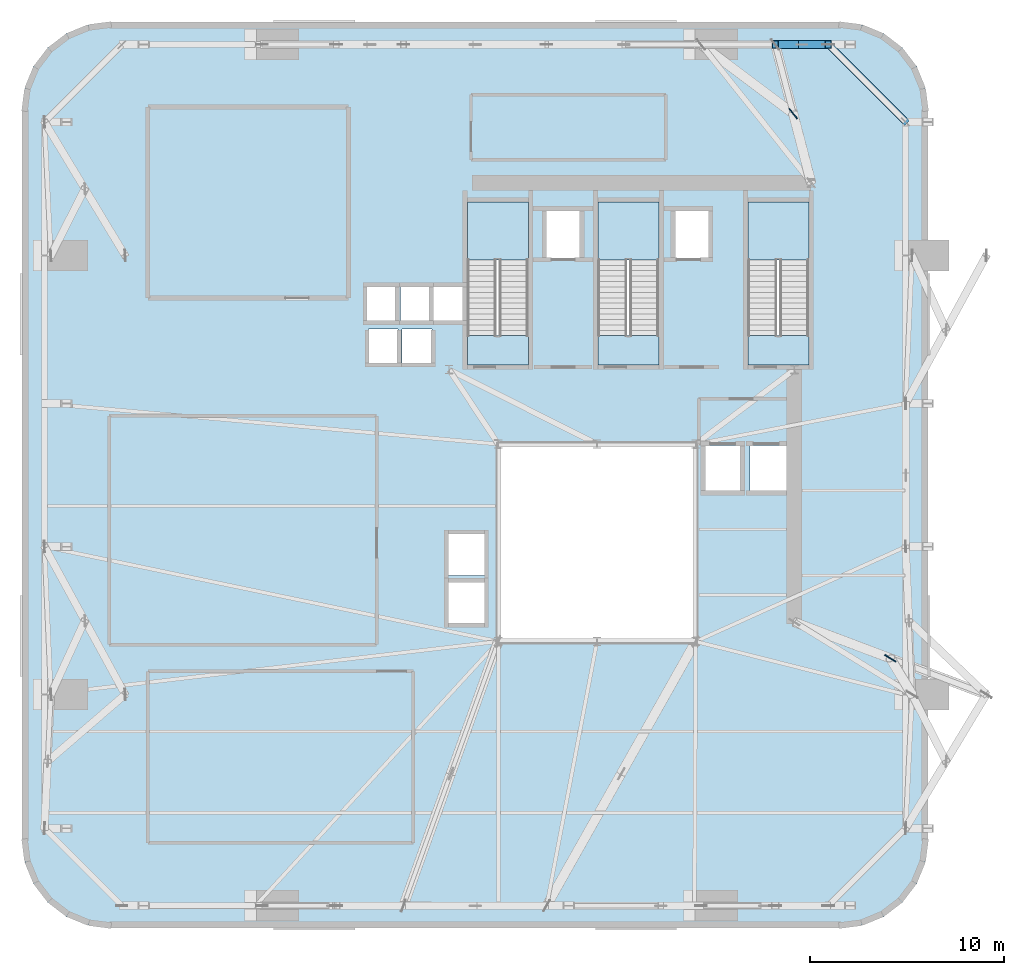
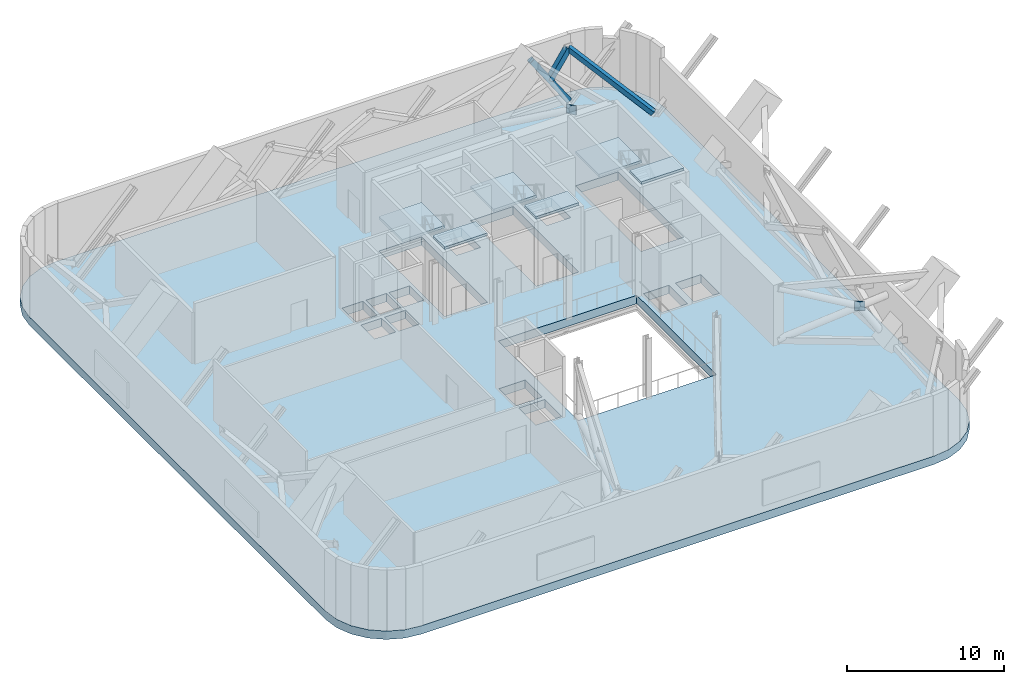
# One storey, part 4 of 12: 7 slabs, 3 members, 2 plates, 3 elements without a shape of their own.
"""IFC4 building model written with IfcOpenShell, lengths in metres."""

from ifc_helpers import new_model, si_unit, direction, frame, origin, origin_2d, place, context, subcontext, project, spatial, polyline, rectangle, hollow_rectangle, outline, extrude, source, transform, mapped, material, layer, layer_set, material_profile, profile_set, type_object, element, aggregate, save


model = new_model("IFC4")

# Units and contexts
model_context = context("Model", 3, precision=1e-05, world=origin(), true_north=direction((0.0, 1.0)))
body_context = subcontext(model_context, "Body", "Model", "MODEL_VIEW")
ifc_project = project(units=[si_unit("LENGTHUNIT", "METRE"), si_unit("AREAUNIT", "SQUARE_METRE"), si_unit("VOLUMEUNIT", "CUBIC_METRE"), si_unit("PLANEANGLEUNIT", "RADIAN"), si_unit("MASSUNIT", "GRAM", prefix="KILO")], contexts=[model_context])

# Site, building, storey
site_placement = place(None, origin())
site = spatial("IfcSite", under=ifc_project, at=site_placement, CompositionType="ELEMENT")
building_placement = place(site_placement, origin())
building = spatial("IfcBuilding", under=site, at=building_placement, Name="Vardaveli Station Tower", CompositionType="ELEMENT")
storey_placement = place(building_placement, frame((0.0, 0.0, 166.800048828125)))
storey = spatial("IfcBuildingStorey", under=building, at=storey_placement, Name="L43", CompositionType="ELEMENT", Elevation=166.800048828125)

# Members
ifc_material_1 = material(Name="Structural steel S460M", Category="steel")
ifc_material_profile_1 = material_profile(ifc_material_1, hollow_rectangle(XDim=0.39990234375, YDim=0.39990234375, WallThickness=0.02001953125, at=origin_2d()), Name="RHS 400x400x20")
ifc_profile_set_1 = profile_set([ifc_material_profile_1], Name="Structural steel S460M")
member_type_1 = type_object("IfcMemberType", Name="MEM-BR-RHS400", PredefinedType="BRACE", material=ifc_profile_set_1)
shared_shape_1 = source(origin(), body_context, "Body", "SweptSolid", [
    extrude(hollow_rectangle(XDim=0.39990234375, YDim=0.39990234375, WallThickness=0.02001953125, at=origin_2d()), origin(), (0.0, 0.0, 1.0), 4.890869140625),
])
member_1_placement = place(storey_placement, frame((48.25, 47.449951171875, 0.349853515625), z_axis=(-0.560584317928, 0.0, 0.828097350855), x_axis=(0.0, -1.0, 0.0)))
element("IfcMember", 1, at=member_1_placement, inside=storey, type_object=member_type_1, Name="BLT-L43-D1-09", PredefinedType="BRACE", context=body_context, shape_type="MappedRepresentation", body=[
    mapped(shared_shape_1, transform((0.0, 0.0, 0.0), scale=1.0)),
])
shared_shape_2 = source(origin(), body_context, "Body", "SweptSolid", [
    extrude(hollow_rectangle(XDim=0.39990234375, YDim=0.39990234375, WallThickness=0.02001953125, at=origin_2d()), origin(), (0.0, 0.0, 1.0), 2.4453125),
])
member_2_placement = place(storey_placement, frame((46.879150390625, 47.449951171875, 2.375), z_axis=(0.560607491734, 0.0, 0.828081662768), x_axis=(0.0, 1.0, 0.0)))
element("IfcMember", 2, at=member_2_placement, inside=storey, type_object=member_type_1, Name="BLT-L43-D2B-09", PredefinedType="BRACE", context=body_context, shape_type="MappedRepresentation", body=[
    mapped(shared_shape_2, transform((0.0, 0.0, 0.0), scale=1.0)),
])
ifc_material_profile_2 = material_profile(ifc_material_1, hollow_rectangle(XDim=0.35009765625, YDim=0.35009765625, WallThickness=0.01611328125, at=origin_2d()), Name="RHS 350x350x16")
ifc_profile_set_2 = profile_set([ifc_material_profile_2], Name="Structural steel S460M")
member_type_2 = type_object("IfcMemberType", Name="MEM-ST-RHS350", PredefinedType="STRUT", material=ifc_profile_set_2)
shared_shape_3 = source(origin(), body_context, "Body", "SweptSolid", [
    extrude(hollow_rectangle(XDim=0.35009765625, YDim=0.35009765625, WallThickness=0.01611328125, at=origin_2d()), origin(), (0.0, 0.0, 1.0), 6.957275390625),
])
member_3_placement = place(storey_placement, frame((52.25, 43.449951171875, 0.349853515625), z_axis=(-0.574942376987, 0.574942376987, 0.582136175039), x_axis=(-0.707106781187, -0.707106781187, 0.0)))
element("IfcMember", 3, at=member_3_placement, inside=storey, type_object=member_type_2, Name="STRUT-L43-3", PredefinedType="STRUT", context=body_context, shape_type="MappedRepresentation", body=[
    mapped(shared_shape_3, transform((0.0, 0.0, 0.0), scale=1.0)),
])

# Stair, slabs
ifc_material_2 = material(Name="Concrete C40/50", Category="concrete")
stair_type = type_object("IfcStairType", Name="STR-CORE-1500", PredefinedType="HALF_TURN_STAIR", material=ifc_material_2)
stair_1_placement = place(storey_placement, origin())
stair_1 = element("IfcStair", 4, at=stair_1_placement, inside=storey, type_object=stair_type, Name="L43 ST-1", PredefinedType="HALF_TURN_STAIR")
ifc_layer_1 = layer(ifc_material_2, 0.199951171875, Name="Concrete C40/50")
ifc_layer_set_1 = layer_set([ifc_layer_1], Name="Concrete C40/50")
slab_type_1 = type_object("IfcSlabType", Name="SLB-LAND-200", PredefinedType="LANDING", material=ifc_layer_set_1)
slab_1_placement = place(storey_placement, frame((0.0, 0.0, 2.5)))
slab_1 = element("IfcSlab", 5, at=slab_1_placement, type_object=slab_type_1, Name="ST-1 landing 1", PredefinedType="LANDING", context=body_context, shape_type="SweptSolid", body=[
    extrude(outline(polyline([(32.75, 36.320068359375), (32.75, 39.300048828125), (29.60009765625, 39.300048828125), (29.60009765625, 36.320068359375), (32.75, 36.320068359375)])), origin(), (0.0, 0.0, 1.0), 0.199951171875),
])
slab_2_placement = place(storey_placement, frame((0.0, 0.0, 5.199951171875)))
slab_2 = element("IfcSlab", 6, at=slab_2_placement, type_object=slab_type_1, Name="ST-1 landing 2", PredefinedType="LANDING", context=body_context, shape_type="SweptSolid", body=[
    extrude(outline(polyline([(32.75, 30.89990234375), (32.75, 32.39990234375), (29.60009765625, 32.39990234375), (29.60009765625, 30.89990234375), (32.75, 30.89990234375)])), origin(), (0.0, 0.0, 1.0), 0.199951171875),
])
aggregate(stair_1, [slab_1, slab_2])

stair_2_placement = place(storey_placement, origin())
stair_2 = element("IfcStair", 7, at=stair_2_placement, inside=storey, type_object=stair_type, Name="L43 ST-2", PredefinedType="HALF_TURN_STAIR")
slab_3_placement = place(storey_placement, frame((0.0, 0.0, 2.5)))
slab_3 = element("IfcSlab", 8, at=slab_3_placement, type_object=slab_type_1, Name="ST-2 landing 1", PredefinedType="LANDING", context=body_context, shape_type="SweptSolid", body=[
    extrude(outline(polyline([(39.5, 36.320068359375), (39.5, 39.300048828125), (36.35009765625, 39.300048828125), (36.35009765625, 36.320068359375), (39.5, 36.320068359375)])), origin(), (0.0, 0.0, 1.0), 0.199951171875),
])
slab_4_placement = place(storey_placement, frame((0.0, 0.0, 5.199951171875)))
slab_4 = element("IfcSlab", 9, at=slab_4_placement, type_object=slab_type_1, Name="ST-2 landing 2", PredefinedType="LANDING", context=body_context, shape_type="SweptSolid", body=[
    extrude(outline(polyline([(39.5, 30.89990234375), (39.5, 32.39990234375), (36.35009765625, 32.39990234375), (36.35009765625, 30.89990234375), (39.5, 30.89990234375)])), origin(), (0.0, 0.0, 1.0), 0.199951171875),
])
aggregate(stair_2, [slab_3, slab_4])

stair_3_placement = place(storey_placement, origin())
stair_3 = element("IfcStair", 10, at=stair_3_placement, inside=storey, type_object=stair_type, Name="L43 ST-3", PredefinedType="HALF_TURN_STAIR")
slab_5_placement = place(storey_placement, frame((0.0, 0.0, 2.5)))
slab_5 = element("IfcSlab", 11, at=slab_5_placement, type_object=slab_type_1, Name="ST-3 landing 1", PredefinedType="LANDING", context=body_context, shape_type="SweptSolid", body=[
    extrude(outline(polyline([(47.25, 36.320068359375), (47.25, 39.300048828125), (44.10009765625, 39.300048828125), (44.10009765625, 36.320068359375), (47.25, 36.320068359375)])), origin(), (0.0, 0.0, 1.0), 0.199951171875),
])
slab_6_placement = place(storey_placement, frame((0.0, 0.0, 5.199951171875)))
slab_6 = element("IfcSlab", 12, at=slab_6_placement, type_object=slab_type_1, Name="ST-3 landing 2", PredefinedType="LANDING", context=body_context, shape_type="SweptSolid", body=[
    extrude(outline(polyline([(47.25, 30.89990234375), (47.25, 32.39990234375), (44.10009765625, 32.39990234375), (44.10009765625, 30.89990234375), (47.25, 30.89990234375)])), origin(), (0.0, 0.0, 1.0), 0.199951171875),
])
aggregate(stair_3, [slab_5, slab_6])

# Slab
ifc_material_3 = material(Name="Concrete C50/60", Category="concrete")
ifc_layer_2 = layer(ifc_material_3, 0.64990234375, Name="Concrete C50/60")
ifc_layer_set_2 = layer_set([ifc_layer_2], Name="Concrete C50/60")
slab_type_2 = type_object("IfcSlabType", Name="SLB-TRANS-600", PredefinedType="FLOOR", material=ifc_layer_set_2)
slab_7_placement = place(storey_placement, frame((0.0, 0.0, -0.650146484375)))
element("IfcSlab", 13, at=slab_7_placement, inside=storey, type_object=slab_type_2, Name="SLB-L43-MAIN", PredefinedType="FLOOR", context=body_context, shape_type="SweptSolid", body=[
    extrude(outline(polyline([(6.60009765625, 6.300048828125), (6.75341796875, 5.13525390625), (7.202880859375, 4.050048828125), (7.91796875, 3.117919921875), (8.85009765625, 2.40283203125), (9.935302734375, 1.953369140625), (11.10009765625, 1.800048828125), (48.89990234375, 1.800048828125), (50.064697265625, 1.953369140625), (51.14990234375, 2.40283203125), (52.08203125, 3.117919921875), (52.797119140625, 4.050048828125), (53.24658203125, 5.13525390625), (53.39990234375, 6.300048828125), (53.39990234375, 44.10009765625), (53.24658203125, 45.2646484375), (52.797119140625, 46.35009765625), (52.08203125, 47.281982421875), (51.14990234375, 47.9970703125), (50.064697265625, 48.44677734375), (48.89990234375, 48.60009765625), (11.10009765625, 48.60009765625), (9.935302734375, 48.44677734375), (8.85009765625, 47.9970703125), (7.91796875, 47.281982421875), (7.202880859375, 46.35009765625), (6.75341796875, 45.2646484375), (6.60009765625, 44.10009765625), (6.60009765625, 6.300048828125)]), holes=[polyline([(31.199951171875, 16.60009765625), (41.39990234375, 16.60009765625), (41.39990234375, 26.800048828125), (31.199951171875, 26.800048828125), (31.199951171875, 16.60009765625)]), polyline([(32.75, 30.89990234375), (32.75, 39.300048828125), (29.60009765625, 39.300048828125), (29.60009765625, 30.89990234375), (32.75, 30.89990234375)]), polyline([(39.5, 30.89990234375), (39.5, 39.300048828125), (36.35009765625, 39.300048828125), (36.35009765625, 30.89990234375), (39.5, 30.89990234375)]), polyline([(47.25, 30.89990234375), (47.25, 39.300048828125), (44.10009765625, 39.300048828125), (44.10009765625, 30.89990234375), (47.25, 30.89990234375)]), polyline([(24.385009765625, 33.135009765625), (25.9150390625, 33.135009765625), (25.9150390625, 34.965087890625), (24.385009765625, 34.965087890625), (24.385009765625, 33.135009765625)]), polyline([(26.135009765625, 33.135009765625), (27.6650390625, 33.135009765625), (27.6650390625, 34.965087890625), (26.135009765625, 34.965087890625), (26.135009765625, 33.135009765625)]), polyline([(27.8349609375, 33.135009765625), (29.364990234375, 33.135009765625), (29.364990234375, 34.965087890625), (27.8349609375, 34.965087890625), (27.8349609375, 33.135009765625)]), polyline([(33.659912109375, 36.409912109375), (35.43994140625, 36.409912109375), (35.43994140625, 38.889892578125), (33.659912109375, 38.889892578125), (33.659912109375, 36.409912109375)]), polyline([(40.31005859375, 36.409912109375), (42.090087890625, 36.409912109375), (42.090087890625, 38.889892578125), (40.31005859375, 38.889892578125), (40.31005859375, 36.409912109375)]), polyline([(24.485107421875, 30.9599609375), (26.014892578125, 30.9599609375), (26.014892578125, 32.739990234375), (24.485107421875, 32.739990234375), (24.485107421875, 30.9599609375)]), polyline([(26.235107421875, 30.9599609375), (27.764892578125, 30.9599609375), (27.764892578125, 32.739990234375), (26.235107421875, 32.739990234375), (26.235107421875, 30.9599609375)]), polyline([(28.5849609375, 17.510009765625), (30.514892578125, 17.510009765625), (30.514892578125, 19.68994140625), (28.5849609375, 19.68994140625), (28.5849609375, 17.510009765625)]), polyline([(28.5849609375, 20.010009765625), (30.514892578125, 20.010009765625), (30.514892578125, 22.18994140625), (28.5849609375, 22.18994140625), (28.5849609375, 20.010009765625)]), polyline([(41.860107421875, 24.360107421875), (43.739990234375, 24.360107421875), (43.739990234375, 26.739990234375), (41.860107421875, 26.739990234375), (41.860107421875, 24.360107421875)]), polyline([(44.2099609375, 24.360107421875), (46.090087890625, 24.360107421875), (46.090087890625, 26.739990234375), (44.2099609375, 26.739990234375), (44.2099609375, 24.360107421875)])]), origin(), (0.0, 0.0, 1.0), 0.650146484375),
])

# Plates
ifc_layer_3 = layer(ifc_material_1, 0.06005859375, Name="Structural steel S460M")
ifc_layer_set_3 = layer_set([ifc_layer_3], Name="Structural steel S460M")
plate_type = type_object("IfcPlateType", Name="PLT-GUSSET-60", PredefinedType="USERDEFINED", material=ifc_layer_set_3)
shared_shape_4 = source(origin(), body_context, "Body", "SweptSolid", [
    extrude(rectangle(XDim=0.679931640625, YDim=0.06005859375, at=origin_2d()), origin(), (0.0, 0.0, 1.0), 0.679931640625),
])
for number, where, z_axis, x_axis, name in (
    (14, (51.459228515625, 15.72998046875, 2.03515625), (0.0, 0.0, 1.0), (0.851818373963, -0.523837243597, 0.0), "PLT-L43-OA3-X"),
    (15, (46.439208984375, 43.875, 2.03515625), (0.0, 0.0, 1.0), (-0.623197353969, 0.782064612424, 0.0), "PLT-L43-OA4-X"),
):
    element("IfcPlate", number, at=place(storey_placement, frame(where, z_axis=z_axis, x_axis=x_axis)), inside=storey, type_object=plate_type, Name=name, ObjectType="GUSSET PLATE", PredefinedType="USERDEFINED", context=body_context, shape_type="MappedRepresentation", body=[
        mapped(shared_shape_4, transform((0.0, 0.0, 0.0), scale=1.0)),
    ])

save(model, "model.ifc")
